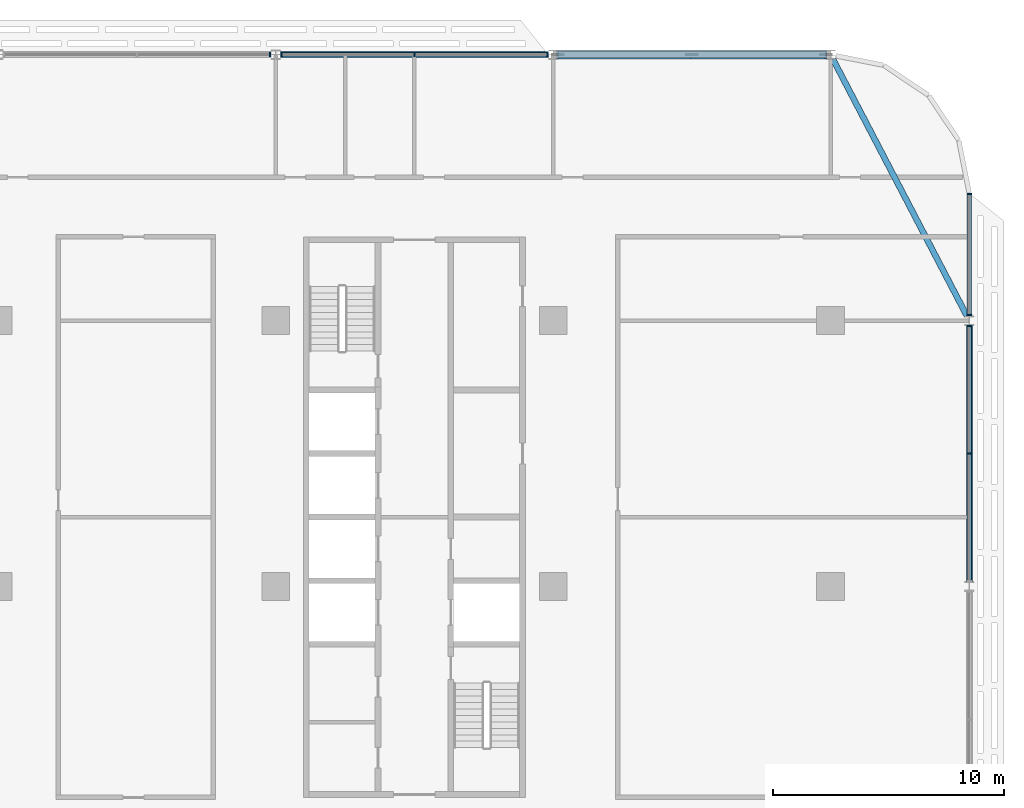
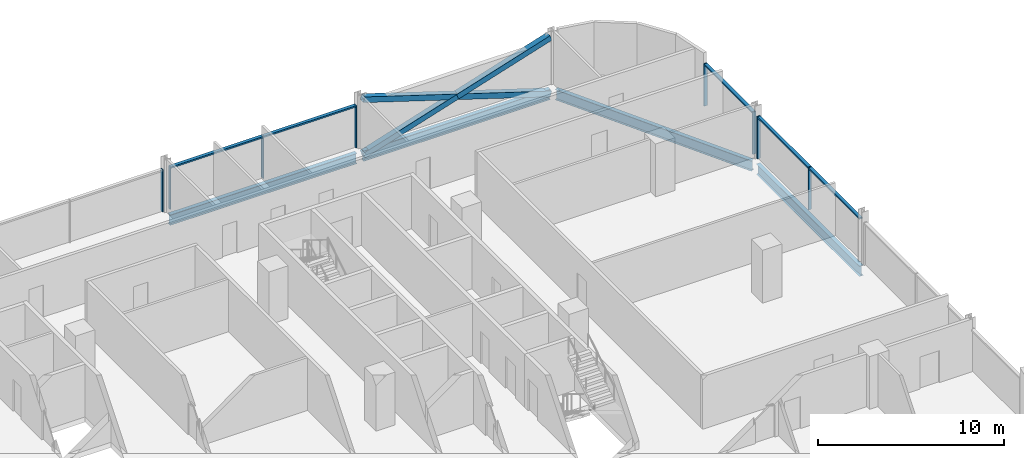
# One storey, part 9 of 27: 16 members, 4 beams, 4 elements without a shape of their own.
"""IFC4 building model written with IfcOpenShell, lengths in metres."""

from ifc_helpers import new_model, si_unit, direction, frame, origin, origin_2d, place, context, subcontext, project, spatial, rectangle, hollow_rectangle, i_section, extrude, material, material_profile, profile_set, type_object, element, aggregate, save


model = new_model("IFC4")

# Units and contexts
model_context = context("Model", 3, precision=1e-05, world=origin(), true_north=direction((0.0, 1.0)))
body_context = subcontext(model_context, "Body", "Model", "MODEL_VIEW")
ifc_project = project(units=[si_unit("LENGTHUNIT", "METRE"), si_unit("AREAUNIT", "SQUARE_METRE"), si_unit("VOLUMEUNIT", "CUBIC_METRE"), si_unit("PLANEANGLEUNIT", "RADIAN"), si_unit("MASSUNIT", "GRAM", prefix="KILO")], contexts=[model_context])

# Site, building, storey
site_placement = place(None, origin())
site = spatial("IfcSite", under=ifc_project, at=site_placement, CompositionType="ELEMENT")
building_placement = place(site_placement, origin())
building = spatial("IfcBuilding", under=site, at=building_placement, Name="Mahtab Terrace Research Tower", CompositionType="ELEMENT")
storey_placement = place(building_placement, frame((0.0, 0.0, 166.800048828125)))
storey = spatial("IfcBuildingStorey", under=building, at=storey_placement, Name="L39", CompositionType="ELEMENT", Elevation=166.800048828125)

# Members
ifc_material_1 = material(Name="Steel ASTM A500 Gr C", Category="steel")
ifc_material_profile_1 = material_profile(ifc_material_1, hollow_rectangle(XDim=0.355712890625, YDim=0.355712890625, WallThickness=0.015869140625, at=origin_2d()), Name="HSS14X14X5/8")
ifc_profile_set_1 = profile_set([ifc_material_profile_1], Name="Steel ASTM A500 Gr C")
member_type_1 = type_object("IfcMemberType", Name="HSS 14x14x5/8 brace XB141458", PredefinedType="BRACE", material=ifc_profile_set_1)
member_1_placement = place(storey_placement, frame((41.796875, 23.0, -0.61474609375), z_axis=(-0.953347232701, 0.0, 0.301875891554), x_axis=(0.0, -1.0, 0.0)))
element("IfcMember", 1, at=member_1_placement, inside=storey, type_object=member_type_1, Name="Exoskeleton brace L39 01 a", PredefinedType="BRACE", context=body_context, shape_type="SweptSolid", body=[
    extrude(hollow_rectangle(XDim=0.355712890625, YDim=0.355712890625, WallThickness=0.015869140625, at=origin_2d()), origin(), (0.0, 0.0, 1.0), 12.1611328125),
])
for number, where, z_axis, x_axis, name in (
    (2, (30.203125, 23.0, -0.61474609375), (0.953341454971, 0.0, 0.301894137463), (0.0, 1.0, 0.0), "Exoskeleton brace L39 01 b1"),
    (3, (36.0, 23.0, 1.220947265625), (0.953353010152, 0.0, 0.301857645313), (0.0, 1.0, 0.0), "Exoskeleton brace L39 01 b2"),
):
    element("IfcMember", number, at=place(storey_placement, frame(where, z_axis=z_axis, x_axis=x_axis)), inside=storey, type_object=member_type_1, Name=name, PredefinedType="BRACE", context=body_context, shape_type="SweptSolid", body=[
        extrude(hollow_rectangle(XDim=0.355712890625, YDim=0.355712890625, WallThickness=0.015869140625, at=origin_2d()), origin(), (0.0, 0.0, 1.0), 6.08056640625),
    ])

# Curtain wall, members
ifc_material_2 = material(Name="Laboratory ribbon curtain wall")
curtain_wall_type = type_object("IfcCurtainWallType", Name="Laboratory ribbon curtain wall", PredefinedType="NOTDEFINED", material=ifc_material_2)
curtain_wall_1_placement = place(storey_placement, origin())
curtain_wall_1 = element("IfcCurtainWall", 4, at=curtain_wall_1_placement, inside=storey, type_object=curtain_wall_type, Name="EN.L39.3.4", PredefinedType="NOTDEFINED")
ifc_material_3 = material(Name="Natural anodised aluminium", Category="aluminium")
ifc_material_profile_2 = material_profile(ifc_material_3, rectangle(XDim=0.199951171875, YDim=0.06494140625, at=origin_2d()), Name="MULLION 65x200")
ifc_profile_set_2 = profile_set([ifc_material_profile_2], Name="Natural anodised aluminium")
member_type_2 = type_object("IfcMemberType", Name="Laboratory ribbon curtain wall mullion", PredefinedType="MULLION", material=ifc_profile_set_2)
member_2_placement = place(storey_placement, frame((29.759521484375, 23.0, 0.0), z_axis=(0.0, 0.0, 1.0), x_axis=(0.0, -1.0, 0.0)))
member_2 = element("IfcMember", 5, at=member_2_placement, type_object=member_type_2, Name="CWL-5 mullion 1", PredefinedType="MULLION", context=body_context, shape_type="SweptSolid", body=[
    extrude(rectangle(XDim=0.199951171875, YDim=0.06494140625, at=origin_2d()), origin(), (0.0, 0.0, 1.0), 2.78173828125),
])
member_3_placement = place(storey_placement, frame((24.0, 23.0, 0.0), z_axis=(0.0, 0.0, 1.0), x_axis=(0.0, -1.0, 0.0)))
member_3 = element("IfcMember", 6, at=member_3_placement, type_object=member_type_2, Name="CWL-5 mullion 2", PredefinedType="MULLION", context=body_context, shape_type="SweptSolid", body=[
    extrude(rectangle(XDim=0.199951171875, YDim=0.06494140625, at=origin_2d()), origin(), (0.0, 0.0, 1.0), 2.78173828125),
])
member_4_placement = place(storey_placement, frame((18.240478515625, 23.0, 0.0), z_axis=(0.0, 0.0, 1.0), x_axis=(0.0, -1.0, 0.0)))
member_4 = element("IfcMember", 7, at=member_4_placement, type_object=member_type_2, Name="CWL-5 mullion 3", PredefinedType="MULLION", context=body_context, shape_type="SweptSolid", body=[
    extrude(rectangle(XDim=0.199951171875, YDim=0.06494140625, at=origin_2d()), origin(), (0.0, 0.0, 1.0), 2.78173828125),
])

# Curtain wall, member
curtain_wall_2_placement = place(storey_placement, origin())
curtain_wall_2 = element("IfcCurtainWall", 8, at=curtain_wall_2_placement, inside=storey, type_object=curtain_wall_type, Name="EN.L39.3.5", PredefinedType="NOTDEFINED")
member_5_placement = place(storey_placement, frame((17.759521484375, 23.0, 0.0), z_axis=(0.0, 0.0, 1.0), x_axis=(0.0, -1.0, 0.0)))
member_5 = element("IfcMember", 9, at=member_5_placement, type_object=member_type_2, Name="CWL-5 mullion 1", PredefinedType="MULLION", context=body_context, shape_type="SweptSolid", body=[
    extrude(rectangle(XDim=0.199951171875, YDim=0.06494140625, at=origin_2d()), origin(), (0.0, 0.0, 1.0), 2.78173828125),
])
aggregate(curtain_wall_2, [member_5])

# Curtain wall, members
curtain_wall_3_placement = place(storey_placement, origin())
curtain_wall_3 = element("IfcCurtainWall", 10, at=curtain_wall_3_placement, inside=storey, type_object=curtain_wall_type, Name="EN.L39.18.36", PredefinedType="NOTDEFINED")
member_6_placement = place(storey_placement, frame((48.0, 5.75, 0.0), z_axis=(0.0, 0.0, 1.0), x_axis=(-1.0, 0.0, 0.0)))
member_6 = element("IfcMember", 11, at=member_6_placement, type_object=member_type_2, Name="CWL-5 mullion 2", PredefinedType="MULLION", context=body_context, shape_type="SweptSolid", body=[
    extrude(rectangle(XDim=0.199951171875, YDim=0.06494140625, at=origin_2d()), origin(), (0.0, 0.0, 1.0), 2.78173828125),
])
member_7_placement = place(storey_placement, frame((48.0, 11.259521484375, 0.0), z_axis=(0.0, 0.0, 1.0), x_axis=(-1.0, 0.0, 0.0)))
member_7 = element("IfcMember", 12, at=member_7_placement, type_object=member_type_2, Name="CWL-5 mullion 3", PredefinedType="MULLION", context=body_context, shape_type="SweptSolid", body=[
    extrude(rectangle(XDim=0.199951171875, YDim=0.06494140625, at=origin_2d()), origin(), (0.0, 0.0, 1.0), 2.78173828125),
])

curtain_wall_4_placement = place(storey_placement, origin())
curtain_wall_4 = element("IfcCurtainWall", 13, at=curtain_wall_4_placement, inside=storey, type_object=curtain_wall_type, Name="EN.L39.18.37", PredefinedType="NOTDEFINED")
member_8_placement = place(storey_placement, frame((48.0, 11.740478515625, 0.0), z_axis=(0.0, 0.0, 1.0), x_axis=(-1.0, 0.0, 0.0)))
member_8 = element("IfcMember", 14, at=member_8_placement, type_object=member_type_2, Name="CWL-5 mullion 1", PredefinedType="MULLION", context=body_context, shape_type="SweptSolid", body=[
    extrude(rectangle(XDim=0.199951171875, YDim=0.06494140625, at=origin_2d()), origin(), (0.0, 0.0, 1.0), 2.78173828125),
])
member_9_placement = place(storey_placement, frame((48.0, 16.967529296875, 0.0), z_axis=(0.0, 0.0, 1.0), x_axis=(-1.0, 0.0, 0.0)))
member_9 = element("IfcMember", 15, at=member_9_placement, type_object=member_type_2, Name="CWL-5 mullion 2", PredefinedType="MULLION", context=body_context, shape_type="SweptSolid", body=[
    extrude(rectangle(XDim=0.199951171875, YDim=0.06494140625, at=origin_2d()), origin(), (0.0, 0.0, 1.0), 2.78173828125),
])

# Member
ifc_material_profile_3 = material_profile(ifc_material_3, rectangle(XDim=0.199951171875, YDim=0.10009765625, at=origin_2d()), Name="TRANSOM 100x200")
ifc_profile_set_3 = profile_set([ifc_material_profile_3], Name="Natural anodised aluminium")
member_type_3 = type_object("IfcMemberType", Name="Laboratory ribbon curtain wall transom", PredefinedType="USERDEFINED", material=ifc_profile_set_3)
member_10_placement = place(storey_placement, frame((29.72705078125, 23.0, 2.731689453125), z_axis=(-1.0, 0.0, 0.0), x_axis=(0.0, -1.0, 0.0)))
member_10 = element("IfcMember", 16, at=member_10_placement, type_object=member_type_3, Name="CWL-5 transom 1", ObjectType="TRANSOM", PredefinedType="USERDEFINED", context=body_context, shape_type="SweptSolid", body=[
    extrude(rectangle(XDim=0.199951171875, YDim=0.10009765625, at=origin_2d()), origin(), (0.0, 0.0, 1.0), 5.694580078125),
])

member_11_placement = place(storey_placement, frame((23.967529296875, 23.0, 2.731689453125), z_axis=(-1.0, 0.0, 0.0), x_axis=(0.0, -1.0, 0.0)))
member_11 = element("IfcMember", 17, at=member_11_placement, type_object=member_type_3, Name="CWL-5 transom 2", ObjectType="TRANSOM", PredefinedType="USERDEFINED", context=body_context, shape_type="SweptSolid", body=[
    extrude(rectangle(XDim=0.199951171875, YDim=0.10009765625, at=origin_2d()), origin(), (0.0, 0.0, 1.0), 5.694580078125),
])

aggregate(curtain_wall_1, [member_2, member_3, member_4, member_10, member_11])

member_12_placement = place(storey_placement, frame((48.0, 0.27294921875, 2.731689453125), z_axis=(0.0, 1.0, 0.0), x_axis=(-1.0, 0.0, 0.0)))
member_12 = element("IfcMember", 18, at=member_12_placement, type_object=member_type_3, Name="CWL-5 transom 1", ObjectType="TRANSOM", PredefinedType="USERDEFINED", context=body_context, shape_type="SweptSolid", body=[
    extrude(rectangle(XDim=0.199951171875, YDim=0.10009765625, at=origin_2d()), origin(), (0.0, 0.0, 1.0), 5.444580078125),
])

member_13_placement = place(storey_placement, frame((48.0, 5.782470703125, 2.731689453125), z_axis=(0.0, 1.0, 0.0), x_axis=(-1.0, 0.0, 0.0)))
member_13 = element("IfcMember", 19, at=member_13_placement, type_object=member_type_3, Name="CWL-5 transom 2", ObjectType="TRANSOM", PredefinedType="USERDEFINED", context=body_context, shape_type="SweptSolid", body=[
    extrude(rectangle(XDim=0.199951171875, YDim=0.10009765625, at=origin_2d()), origin(), (0.0, 0.0, 1.0), 5.444580078125),
])

aggregate(curtain_wall_3, [member_6, member_7, member_12, member_13])

member_14_placement = place(storey_placement, frame((48.0, 11.77294921875, 2.731689453125), z_axis=(0.0, 1.0, 0.0), x_axis=(-1.0, 0.0, 0.0)))
member_14 = element("IfcMember", 20, at=member_14_placement, type_object=member_type_3, Name="CWL-5 transom 1", ObjectType="TRANSOM", PredefinedType="USERDEFINED", context=body_context, shape_type="SweptSolid", body=[
    extrude(rectangle(XDim=0.199951171875, YDim=0.10009765625, at=origin_2d()), origin(), (0.0, 0.0, 1.0), 5.162109375),
])

aggregate(curtain_wall_4, [member_8, member_9, member_14])

# Beams
ifc_material_4 = material(Name="Steel ASTM A992 Gr 50", Category="steel")
ifc_material_profile_4 = material_profile(ifc_material_4, i_section(OverallWidth=0.25390625, OverallDepth=0.67822265625, WebThickness=0.01171875, FlangeThickness=0.016357421875, at=origin_2d()), Name="W27X84")
ifc_profile_set_4 = profile_set([ifc_material_profile_4], Name="Steel ASTM A992 Gr 50")
beam_type = type_object("IfcBeamType", Name="W27x84 beam BS2784", PredefinedType="BEAM", material=ifc_profile_set_4)
for number, where, z_axis, x_axis, name in (
    (21, (41.796875, 23.0, -0.67919921875), (-1.0, 0.0, 0.0), (0.0, -1.0, 0.0), "Spandrel beam L39 01"),
    (22, (29.796875, 23.0, -0.67919921875), (-1.0, 0.0, 0.0), (0.0, -1.0, 0.0), "Spandrel beam L39 02"),
):
    element("IfcBeam", number, at=place(storey_placement, frame(where, z_axis=z_axis, x_axis=x_axis)), inside=storey, type_object=beam_type, Name=name, PredefinedType="BEAM", context=body_context, shape_type="SweptSolid", body=[
        extrude(i_section(OverallWidth=0.25390625, OverallDepth=0.67822265625, WebThickness=0.01171875, FlangeThickness=0.016357421875, at=origin_2d()), origin(), (0.0, 0.0, 1.0), 11.59375),
    ])
beam_1_placement = place(storey_placement, frame((48.0, 0.208251953125, -0.67919921875), z_axis=(0.0, 1.0, 0.0), x_axis=(-1.0, 0.0, 0.0)))
element("IfcBeam", 23, at=beam_1_placement, inside=storey, type_object=beam_type, Name="Spandrel beam L39 21", PredefinedType="BEAM", context=body_context, shape_type="SweptSolid", body=[
    extrude(i_section(OverallWidth=0.25390625, OverallDepth=0.67822265625, WebThickness=0.01171875, FlangeThickness=0.016357421875, at=origin_2d()), origin(), (0.0, 0.0, 1.0), 11.08349609375),
])
beam_2_placement = place(storey_placement, frame((47.891357421875, 11.708251953125, -0.67919921875), z_axis=(-0.462567341525, 0.886584149731, 0.0), x_axis=(-0.886584149731, -0.462567341525, 0.0)))
element("IfcBeam", 24, at=beam_2_placement, inside=storey, type_object=beam_type, Name="Spandrel beam L39 22", PredefinedType="BEAM", context=body_context, shape_type="SweptSolid", body=[
    extrude(i_section(OverallWidth=0.25390625, OverallDepth=0.67822265625, WebThickness=0.01171875, FlangeThickness=0.016357421875, at=origin_2d()), origin(), (0.0, 0.0, 1.0), 12.50146484375),
])

save(model, "model.ifc")
